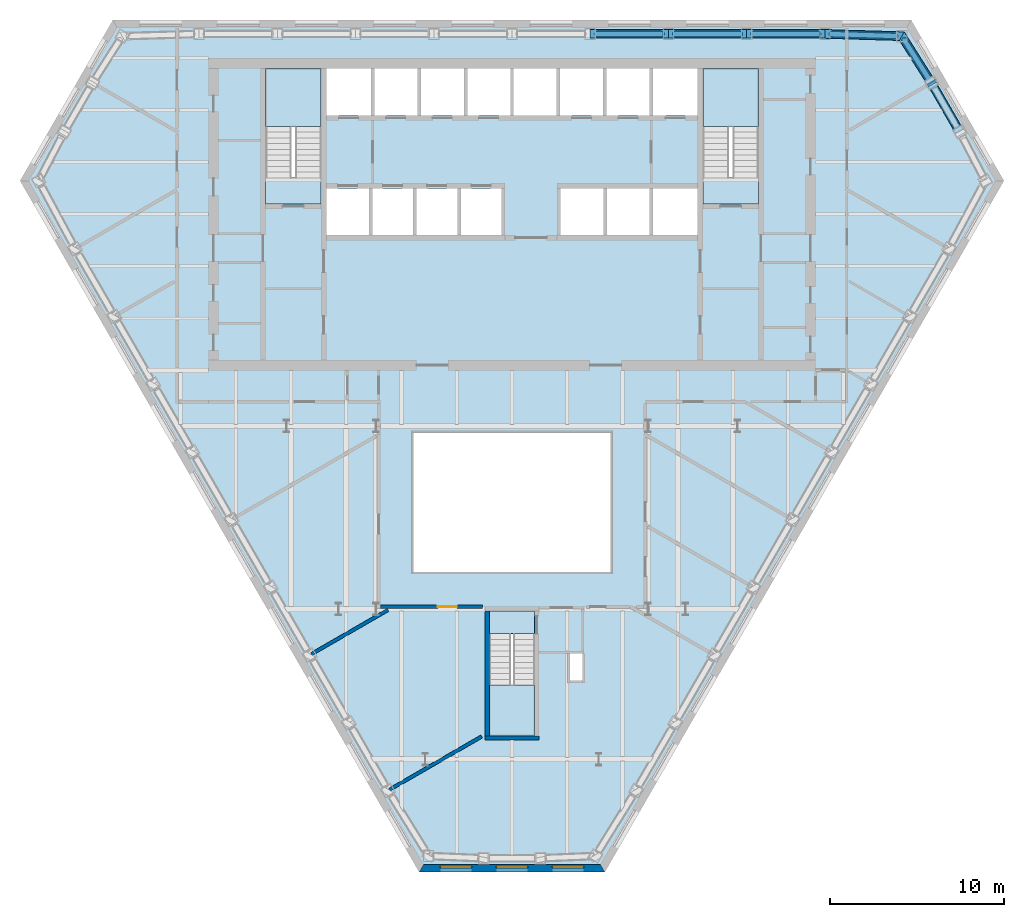
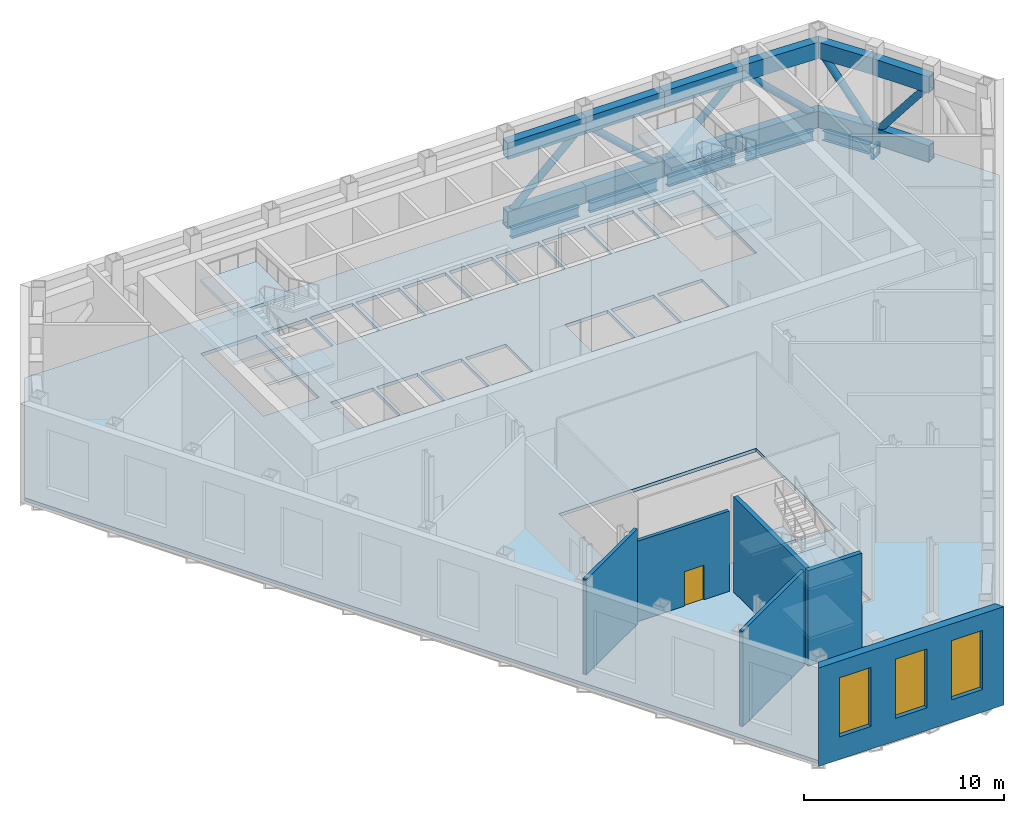
# One storey, part 6 of 14: 18 members, 10 slabs, 6 beams, 6 walls, 3 shading devices, 1 door, 4 openings, 3 elements without a shape of their own.
"""IFC4 building model written with IfcOpenShell, lengths in metres."""

from ifc_helpers import new_model, si_unit, direction, frame, frame_2d, origin, origin_2d, place, context, subcontext, project, spatial, polyline, rectangle, hollow_rectangle, hollow_circle, i_section, outline, extrude, clip, halfspace, material, layer, layer_set, material_profile, profile_set, type_object, element, fill, aggregate, save


model = new_model("IFC4")

# Units and contexts
model_context = context("Model", 3, precision=1e-05, world=origin(), true_north=direction((0.0, 1.0)))
body_context = subcontext(model_context, "Body", "Model", "MODEL_VIEW")
ifc_project = project(units=[si_unit("LENGTHUNIT", "METRE"), si_unit("AREAUNIT", "SQUARE_METRE"), si_unit("VOLUMEUNIT", "CUBIC_METRE"), si_unit("PLANEANGLEUNIT", "RADIAN"), si_unit("MASSUNIT", "GRAM", prefix="KILO")], contexts=[model_context])

# Site, building, storey
site_placement = place(None, origin())
site = spatial("IfcSite", under=ifc_project, at=site_placement, CompositionType="ELEMENT")
building_placement = place(site_placement, origin())
building = spatial("IfcBuilding", under=site, at=building_placement, Name="Njiva Tower", CompositionType="ELEMENT")
storey_placement = place(building_placement, frame((0.0, 0.0, 78.3)))
storey = spatial("IfcBuildingStorey", under=building, at=storey_placement, Name="L16", CompositionType="ELEMENT", Elevation=78.3)

# Beams
ifc_material_1 = material(Name="Steel S355 J2", Category="steel")
ifc_material_profile_1 = material_profile(ifc_material_1, hollow_rectangle(XDim=0.7, YDim=0.7, WallThickness=0.08, at=origin_2d()), Name="BOX 700x700x80")
ifc_profile_set_1 = profile_set([ifc_material_profile_1], Name="Steel S355 J2")
beam_type_1 = type_object("IfcBeamType", Name="B19 Column jog beam BOX 700x700x80", PredefinedType="BEAM", material=ifc_profile_set_1)
beam_1_placement = place(storey_placement, frame((24.227, 16.474, -0.55), z_axis=(-0.49972245349, 0.866185586049, 0.0), x_axis=(-0.866185586049, -0.49972245349, 0.0)))
element("IfcBeam", 1, at=beam_1_placement, inside=storey, type_object=beam_type_1, Name="Column jog beam T1-B054", PredefinedType="BEAM", context=body_context, shape_type="SweptSolid", body=[
    extrude(hollow_rectangle(XDim=0.7, YDim=0.7, WallThickness=0.08, at=origin_2d()), origin(), (0.0, 0.0, 1.0), 0.1801),
])
ifc_material_profile_2 = material_profile(ifc_material_1, i_section(OverallWidth=0.3, OverallDepth=0.6, WebThickness=0.0155, FlangeThickness=0.03, at=origin_2d()), Name="HEB 600")
ifc_profile_set_2 = profile_set([ifc_material_profile_2], Name="Steel S355 J2")
beam_type_2 = type_object("IfcBeamType", Name="B3 Short-span spandrel beam HEB 600", PredefinedType="SPANDREL", material=ifc_profile_set_2)
beam_2_placement = place(storey_placement, frame((22.157, 19.276, -0.5), z_axis=(-0.999547870884, 0.030067487615, 0.0), x_axis=(-0.030067487615, -0.999547870884, 0.0)))
element("IfcBeam", 2, at=beam_2_placement, inside=storey, type_object=beam_type_2, Name="Short-span spandrel beam T1-B124", PredefinedType="SPANDREL", context=body_context, shape_type="SweptSolid", body=[
    extrude(i_section(OverallWidth=0.3, OverallDepth=0.6, WebThickness=0.0155, FlangeThickness=0.03, at=origin_2d()), origin(), (0.0, 0.0, 1.0), 3.8247),
])
beam_3_placement = place(storey_placement, frame((17.73, 19.4, -0.5), z_axis=(-1.0, 0.0, 0.0), x_axis=(0.0, -1.0, 0.0)))
element("IfcBeam", 3, at=beam_3_placement, inside=storey, type_object=beam_type_2, Name="Short-span spandrel beam T1-B121", PredefinedType="SPANDREL", context=body_context, shape_type="SweptSolid", body=[
    extrude(i_section(OverallWidth=0.3, OverallDepth=0.6, WebThickness=0.0155, FlangeThickness=0.03, at=origin_2d()), origin(), (0.0, 0.0, 1.0), 3.907),
])
beam_4_placement = place(storey_placement, frame((13.223, 19.4, -0.5), z_axis=(-1.0, 0.0, 0.0), x_axis=(0.0, -1.0, 0.0)))
element("IfcBeam", 4, at=beam_4_placement, inside=storey, type_object=beam_type_2, Name="Short-span spandrel beam T1-B118", PredefinedType="SPANDREL", context=body_context, shape_type="SweptSolid", body=[
    extrude(i_section(OverallWidth=0.3, OverallDepth=0.6, WebThickness=0.0155, FlangeThickness=0.03, at=origin_2d()), origin(), (0.0, 0.0, 1.0), 3.908),
])
beam_5_placement = place(storey_placement, frame((8.715, 19.4, -0.5), z_axis=(-1.0, 0.0, 0.0), x_axis=(0.0, -1.0, 0.0)))
element("IfcBeam", 5, at=beam_5_placement, inside=storey, type_object=beam_type_2, Name="Short-span spandrel beam T1-B115", PredefinedType="SPANDREL", context=body_context, shape_type="SweptSolid", body=[
    extrude(i_section(OverallWidth=0.3, OverallDepth=0.6, WebThickness=0.0155, FlangeThickness=0.03, at=origin_2d()), origin(), (0.0, 0.0, 1.0), 3.907),
])
beam_6_placement = place(storey_placement, frame((24.036, 16.786, -0.5), z_axis=(-0.535797902247, 0.844346260694, 0.0), x_axis=(-0.844346260694, -0.535797902247, 0.0)))
element("IfcBeam", 6, at=beam_6_placement, inside=storey, type_object=beam_type_2, Name="Short-span spandrel beam T1-B127", PredefinedType="SPANDREL", context=body_context, shape_type="Clipping", body=[
    clip(extrude(i_section(OverallWidth=0.3, OverallDepth=0.6, WebThickness=0.0155, FlangeThickness=0.03, at=origin_2d()), origin(), (0.0, 0.0, 1.0), 2.6981), halfspace(frame((-0.0264, 0.0, 2.5663), z_axis=(-0.535797902247, 0.0, 0.844346260694), x_axis=(0.0, 1.0, 0.0)), False)),
])

# Members
ifc_material_profile_3 = material_profile(ifc_material_1, hollow_rectangle(XDim=0.5, YDim=1.0, WallThickness=0.06, at=origin_2d()), Name="BOX 1000x500x60")
ifc_profile_set_3 = profile_set([ifc_material_profile_3], Name="Steel S355 J2")
member_type_1 = type_object("IfcMemberType", Name="TC1 Transfer and belt truss chord BOX 1000x500x60", PredefinedType="CHORD", material=ifc_profile_set_3)
member_1_placement = place(storey_placement, frame((22.6239, 19.2621, 0.5), z_axis=(-0.999549830104, 0.03000228558, 0.0), x_axis=(-0.03000228558, -0.999549830104, 0.0)))
element("IfcMember", 7, at=member_1_placement, inside=storey, type_object=member_type_1, Name="Transfer and belt truss chord T1-TR001", PredefinedType="CHORD", context=body_context, shape_type="Clipping", body=[
    clip(clip(extrude(hollow_rectangle(XDim=0.5, YDim=1.0, WallThickness=0.06, at=origin_2d()), origin(), (0.0, 0.0, 1.0), 4.63), halfspace(frame((0.0, -78.8, 0.163), z_axis=(0.468606698505, 0.0, -0.88340690631), x_axis=(0.0, -1.0, 0.0)), False)), halfspace(frame((0.0, -78.8, 4.596), z_axis=(0.015005700272, 0.0, 0.999887408141), x_axis=(0.0, 1.0, 0.0)), False)),
])
member_2_placement = place(storey_placement, frame((22.6239, 19.2621, 4.7), z_axis=(-0.999549830104, 0.03000228558, 0.0), x_axis=(-0.03000228558, -0.999549830104, 0.0)))
element("IfcMember", 8, at=member_2_placement, inside=storey, type_object=member_type_1, Name="Transfer and belt truss chord T1-TR002", PredefinedType="CHORD", context=body_context, shape_type="Clipping", body=[
    clip(clip(extrude(hollow_rectangle(XDim=0.5, YDim=1.0, WallThickness=0.06, at=origin_2d()), origin(), (0.0, 0.0, 1.0), 4.63), halfspace(frame((0.0, -83.0, 0.163), z_axis=(0.468606698505, 0.0, -0.88340690631), x_axis=(0.0, -1.0, 0.0)), False)), halfspace(frame((0.0, -83.0, 4.596), z_axis=(0.015005700272, 0.0, 0.999887408141), x_axis=(0.0, 1.0, 0.0)), False)),
])
member_3_placement = place(storey_placement, frame((18.064, 19.4, 0.5), z_axis=(-1.0, 0.0, 0.0), x_axis=(0.0, -1.0, 0.0)))
element("IfcMember", 9, at=member_3_placement, inside=storey, type_object=member_type_1, Name="Transfer and belt truss chord T1-TR004", PredefinedType="CHORD", context=body_context, shape_type="Clipping", body=[
    clip(extrude(hollow_rectangle(XDim=0.5, YDim=1.0, WallThickness=0.06, at=origin_2d()), origin(), (0.0, 0.0, 1.0), 4.541), halfspace(frame((0.0, -78.8, 0.034), z_axis=(0.014999962409, 0.0, -0.999887494235), x_axis=(0.0, -1.0, 0.0)), False)),
])
member_4_placement = place(storey_placement, frame((18.064, 19.4, 4.7), z_axis=(-1.0, 0.0, 0.0), x_axis=(0.0, -1.0, 0.0)))
element("IfcMember", 10, at=member_4_placement, inside=storey, type_object=member_type_1, Name="Transfer and belt truss chord T1-TR005", PredefinedType="CHORD", context=body_context, shape_type="Clipping", body=[
    clip(extrude(hollow_rectangle(XDim=0.5, YDim=1.0, WallThickness=0.06, at=origin_2d()), origin(), (0.0, 0.0, 1.0), 4.541), halfspace(frame((0.0, -83.0, 0.034), z_axis=(0.014999962409, 0.0, -0.999887494235), x_axis=(0.0, -1.0, 0.0)), False)),
])
for number, where, z_axis, x_axis, name in (
    (11, (13.523, 19.4, 0.5), (-1.0, 0.0, 0.0), (0.0, -1.0, 0.0), "Transfer and belt truss chord T1-TR007"),
    (12, (13.523, 19.4, 4.7), (-1.0, 0.0, 0.0), (0.0, -1.0, 0.0), "Transfer and belt truss chord T1-TR008"),
):
    element("IfcMember", number, at=place(storey_placement, frame(where, z_axis=z_axis, x_axis=x_axis)), inside=storey, type_object=member_type_1, Name=name, PredefinedType="CHORD", context=body_context, shape_type="SweptSolid", body=[
        extrude(hollow_rectangle(XDim=0.5, YDim=1.0, WallThickness=0.06, at=origin_2d()), origin(), (0.0, 0.0, 1.0), 4.508),
    ])
for number, where, z_axis, x_axis, name in (
    (13, (9.015, 19.4, 0.5), (-1.0, 0.0, 0.0), (0.0, -1.0, 0.0), "Transfer and belt truss chord T1-TR010"),
    (14, (9.015, 19.4, 4.7), (-1.0, 0.0, 0.0), (0.0, -1.0, 0.0), "Transfer and belt truss chord T1-TR011"),
):
    element("IfcMember", number, at=place(storey_placement, frame(where, z_axis=z_axis, x_axis=x_axis)), inside=storey, type_object=member_type_1, Name=name, PredefinedType="CHORD", context=body_context, shape_type="SweptSolid", body=[
        extrude(hollow_rectangle(XDim=0.5, YDim=1.0, WallThickness=0.06, at=origin_2d()), origin(), (0.0, 0.0, 1.0), 4.507),
    ])
member_5_placement = place(storey_placement, frame((25.8145, 13.7257, 0.5), z_axis=(-0.500165123728, 0.865930048564, 0.0), x_axis=(-0.865930048564, -0.500165123728, 0.0)))
element("IfcMember", 15, at=member_5_placement, inside=storey, type_object=member_type_1, Name="Transfer and belt truss chord T1-TR112", PredefinedType="CHORD", context=body_context, shape_type="Clipping", body=[
    clip(clip(extrude(hollow_rectangle(XDim=0.5, YDim=1.0, WallThickness=0.06, at=origin_2d()), origin(), (0.0, 0.0, 1.0), 3.3289), halfspace(frame((0.0, -78.8, 0.035), z_axis=(0.020940769856, 0.0, -0.999780718037), x_axis=(0.0, -1.0, 0.0)), False)), halfspace(frame((0.0, -78.8, 3.2939), z_axis=(0.020778829052, 0.0, 0.999784096825), x_axis=(0.0, 1.0, 0.0)), False)),
])
member_6_placement = place(storey_placement, frame((25.8145, 13.7257, 4.7), z_axis=(-0.500165123728, 0.865930048564, 0.0), x_axis=(-0.865930048564, -0.500165123728, 0.0)))
element("IfcMember", 16, at=member_6_placement, inside=storey, type_object=member_type_1, Name="Transfer and belt truss chord T1-TR113", PredefinedType="CHORD", context=body_context, shape_type="Clipping", body=[
    clip(clip(extrude(hollow_rectangle(XDim=0.5, YDim=1.0, WallThickness=0.06, at=origin_2d()), origin(), (0.0, 0.0, 1.0), 3.3289), halfspace(frame((0.0, -83.0, 0.035), z_axis=(0.020940769856, 0.0, -0.999780718037), x_axis=(0.0, -1.0, 0.0)), False)), halfspace(frame((0.0, -83.0, 3.2939), z_axis=(0.020778829052, 0.0, 0.999784096825), x_axis=(0.0, 1.0, 0.0)), False)),
])
member_7_placement = place(storey_placement, frame((24.1858, 16.5484, 0.5), z_axis=(-0.535716809488, 0.844397714369, 0.0), x_axis=(-0.844397714369, -0.535716809488, 0.0)))
element("IfcMember", 17, at=member_7_placement, inside=storey, type_object=member_type_1, Name="Transfer and belt truss chord T1-TR115", PredefinedType="CHORD", context=body_context, shape_type="Clipping", body=[
    clip(clip(extrude(hollow_rectangle(XDim=0.5, YDim=1.0, WallThickness=0.06, at=origin_2d()), origin(), (0.0, 0.0, 1.0), 3.3825), halfspace(frame((0.0, -78.8, 0.035), z_axis=(0.020785143043, 0.0, -0.999783965579), x_axis=(0.0, -1.0, 0.0)), False)), halfspace(frame((0.0, -78.8, 3.2195), z_axis=(0.468613118526, 0.0, 0.883403500755), x_axis=(0.0, 1.0, 0.0)), False)),
])
member_8_placement = place(storey_placement, frame((24.1858, 16.5484, 4.7), z_axis=(-0.535716809488, 0.844397714369, 0.0), x_axis=(-0.844397714369, -0.535716809488, 0.0)))
element("IfcMember", 18, at=member_8_placement, inside=storey, type_object=member_type_1, Name="Transfer and belt truss chord T1-TR116", PredefinedType="CHORD", context=body_context, shape_type="Clipping", body=[
    clip(clip(extrude(hollow_rectangle(XDim=0.5, YDim=1.0, WallThickness=0.06, at=origin_2d()), origin(), (0.0, 0.0, 1.0), 3.3825), halfspace(frame((0.0, -83.0, 0.035), z_axis=(0.020785143043, 0.0, -0.999783965579), x_axis=(0.0, -1.0, 0.0)), False)), halfspace(frame((0.0, -83.0, 3.2195), z_axis=(0.468613118526, 0.0, 0.883403500755), x_axis=(0.0, 1.0, 0.0)), False)),
])
ifc_material_2 = material(Name="Steel S355 J2H", Category="steel")
ifc_material_profile_4 = material_profile(ifc_material_2, hollow_circle(Radius=0.2032, WallThickness=0.016, at=origin_2d()), Name="CHS 406.4x16")
ifc_profile_set_4 = profile_set([ifc_material_profile_4], Name="Steel S355 J2H")
member_type_2 = type_object("IfcMemberType", Name="TD1 Transfer and belt truss diagonal CHS 406.4x16", PredefinedType="BRACE", material=ifc_profile_set_4)
member_9_placement = place(storey_placement, frame((22.6395, 19.2616, 0.3308), z_axis=(-0.725599734047, 0.021779454892, 0.68777225976), x_axis=(-0.03000228558, -0.999549830104, 0.0)))
element("IfcMember", 19, at=member_9_placement, inside=storey, type_object=member_type_2, Name="Transfer and belt truss diagonal T1-TR003", PredefinedType="BRACE", context=body_context, shape_type="Clipping", body=[
    clip(clip(extrude(hollow_circle(Radius=0.2032, WallThickness=0.016, at=origin_2d()), origin(), (0.0, 0.0, 1.0), 6.5987), halfspace(frame((19.9322, -14.6878, 16.4611), z_axis=(0.0, -0.725926524315, -0.68777225976), x_axis=(0.0, -0.68777225976, 0.725926524315)), False)), halfspace(frame((19.9322, -12.3503, 18.6757), z_axis=(0.0, 0.725926524315, 0.68777225976), x_axis=(0.0, 0.68777225976, -0.725926524315)), False)),
])
member_10_placement = place(storey_placement, frame((18.2129, 19.4, 4.8704), z_axis=(-0.731584040019, 0.0, -0.681751268711), x_axis=(0.0, -1.0, 0.0)))
element("IfcMember", 20, at=member_10_placement, inside=storey, type_object=member_type_2, Name="Transfer and belt truss diagonal T1-TR006", PredefinedType="BRACE", context=body_context, shape_type="Clipping", body=[
    clip(clip(extrude(hollow_circle(Radius=0.2032, WallThickness=0.016, at=origin_2d()), origin(), (0.0, 0.0, 1.0), 6.6606), halfspace(frame((19.4, 11.9335, 13.7745), z_axis=(0.0, 0.731584040019, -0.681751268711), x_axis=(0.0, -0.681751268711, -0.731584040019)), False)), halfspace(frame((19.4, 9.5778, 15.9698), z_axis=(0.0, -0.731584040019, 0.681751268711), x_axis=(0.0, 0.681751268711, 0.731584040019)), False)),
])
member_11_placement = place(storey_placement, frame((13.7059, 19.4, 0.3296), z_axis=(-0.731659471254, 0.0, 0.681670314833), x_axis=(0.0, -1.0, 0.0)))
element("IfcMember", 21, at=member_11_placement, inside=storey, type_object=member_type_2, Name="Transfer and belt truss diagonal T1-TR009", PredefinedType="BRACE", context=body_context, shape_type="Clipping", body=[
    clip(clip(extrude(hollow_circle(Radius=0.2032, WallThickness=0.016, at=origin_2d()), origin(), (0.0, 0.0, 1.0), 6.6613), halfspace(frame((19.4, -8.8597, 10.4782), z_axis=(0.0, -0.731659471254, -0.681670314833), x_axis=(0.0, -0.681670314833, 0.731659471254)), False)), halfspace(frame((19.4, -6.5038, 12.6732), z_axis=(0.0, 0.731659471254, 0.681670314833), x_axis=(0.0, 0.681670314833, -0.731659471254)), False)),
])
member_12_placement = place(storey_placement, frame((9.1979, 19.4, 4.8704), z_axis=(-0.731584040019, 0.0, -0.681751268711), x_axis=(0.0, -1.0, 0.0)))
element("IfcMember", 22, at=member_12_placement, inside=storey, type_object=member_type_2, Name="Transfer and belt truss diagonal T1-TR012", PredefinedType="BRACE", context=body_context, shape_type="Clipping", body=[
    clip(clip(extrude(hollow_circle(Radius=0.2032, WallThickness=0.016, at=origin_2d()), origin(), (0.0, 0.0, 1.0), 6.6606), halfspace(frame((19.4, 5.7875, 7.1793), z_axis=(0.0, 0.731584040019, -0.681751268711), x_axis=(0.0, -0.681751268711, -0.731584040019)), False)), halfspace(frame((19.4, 3.4318, 9.3745), z_axis=(0.0, -0.731584040019, 0.681751268711), x_axis=(0.0, 0.681751268711, 0.731584040019)), False)),
])
member_13_placement = place(storey_placement, frame((25.855, 13.6557, 4.8493), z_axis=(-0.306617570589, 0.530843425891, -0.79005754385), x_axis=(-0.865930048564, -0.500165123728, 0.0)))
element("IfcMember", 23, at=member_13_placement, inside=storey, type_object=member_type_2, Name="Transfer and belt truss diagonal T1-TR114", PredefinedType="BRACE", context=body_context, shape_type="Clipping", body=[
    clip(clip(extrude(hollow_circle(Radius=0.2032, WallThickness=0.016, at=origin_2d()), origin(), (0.0, 0.0, 1.0), 5.6941), halfspace(frame((29.2187, 0.4826, 1.1837), z_axis=(0.0, 0.613032688693, -0.79005754385), x_axis=(0.0, -0.79005754385, -0.613032688693)), False)), halfspace(frame((29.2187, -1.4914, 3.7276), z_axis=(0.0, -0.613032688693, 0.79005754385), x_axis=(0.0, 0.79005754385, 0.613032688693)), False)),
])
member_14_placement = place(storey_placement, frame((24.2269, 16.4836, 0.3526), z_axis=(-0.323671054278, 0.510170846983, 0.796845502912), x_axis=(-0.844397714369, -0.535716809488, 0.0)))
element("IfcMember", 24, at=member_14_placement, inside=storey, type_object=member_type_2, Name="Transfer and belt truss diagonal T1-TR117", PredefinedType="BRACE", context=body_context, shape_type="Clipping", body=[
    clip(clip(extrude(hollow_circle(Radius=0.2032, WallThickness=0.016, at=origin_2d()), origin(), (0.0, 0.0, 1.0), 5.6408), halfspace(frame((29.2877, 1.1341, -0.06), z_axis=(0.0, -0.604183121652, -0.796845502912), x_axis=(0.0, -0.796845502912, 0.604183121652)), False)), halfspace(frame((29.2877, 3.0796, 2.5058), z_axis=(0.0, 0.604183121652, 0.796845502912), x_axis=(0.0, 0.796845502912, -0.604183121652)), False)),
])

# Stair, slabs
ifc_material_3 = material(Name="Concrete C40/50", Category="concrete")
stair_type_1 = type_object("IfcStairType", Name="ST4 Exit stair 1500", PredefinedType="HALF_TURN_STAIR", material=ifc_material_3)
stair_1_placement = place(storey_placement, origin())
stair_1 = element("IfcStair", 25, at=stair_1_placement, inside=storey, type_object=stair_type_1, Name="Stair A", PredefinedType="DOUBLE_RETURN_STAIR")
ifc_layer_1 = layer(ifc_material_3, 0.2)
ifc_layer_set_1 = layer_set([ifc_layer_1], Name="Concrete C40/50")
slab_type_1 = type_object("IfcSlabType", Name="FL9 Stair landing 200", PredefinedType="LANDING", material=ifc_layer_set_1)
slab_1_placement = place(storey_placement, frame((0.0, 0.0, 1.3)))
slab_1 = element("IfcSlab", 26, at=slab_1_placement, type_object=slab_type_1, Name="ST-A landing 1", PredefinedType="LANDING", context=body_context, shape_type="SweptSolid", body=[
    extrude(outline(polyline([(-14.206, 14.07), (-10.994, 14.07), (-10.994, 17.4), (-14.206, 17.4), (-14.206, 14.07)])), origin(), (0.0, 0.0, 1.0), 0.2),
])
slab_2_placement = place(storey_placement, frame((0.0, 0.0, 2.8)))
slab_2 = element("IfcSlab", 27, at=slab_2_placement, type_object=slab_type_1, Name="ST-A landing 2", PredefinedType="LANDING", context=body_context, shape_type="SweptSolid", body=[
    extrude(outline(polyline([(-14.206, 9.6), (-10.994, 9.6), (-10.994, 11.1), (-14.206, 11.1), (-14.206, 9.6)])), origin(), (0.0, 0.0, 1.0), 0.2),
])
slab_3_placement = place(storey_placement, frame((0.0, 0.0, 4.3)))
slab_3 = element("IfcSlab", 28, at=slab_3_placement, type_object=slab_type_1, Name="ST-A landing 3", PredefinedType="LANDING", context=body_context, shape_type="SweptSolid", body=[
    extrude(outline(polyline([(-14.206, 14.07), (-10.994, 14.07), (-10.994, 17.4), (-14.206, 17.4), (-14.206, 14.07)])), origin(), (0.0, 0.0, 1.0), 0.2),
])
aggregate(stair_1, [slab_1, slab_2, slab_3])

stair_2_placement = place(storey_placement, origin())
stair_2 = element("IfcStair", 29, at=stair_2_placement, inside=storey, type_object=stair_type_1, Name="Stair B", PredefinedType="DOUBLE_RETURN_STAIR")
slab_4_placement = place(storey_placement, frame((0.0, 0.0, 1.3)))
slab_4 = element("IfcSlab", 30, at=slab_4_placement, type_object=slab_type_1, Name="ST-B landing 1", PredefinedType="LANDING", context=body_context, shape_type="SweptSolid", body=[
    extrude(outline(polyline([(10.994, 14.07), (14.206, 14.07), (14.206, 17.4), (10.994, 17.4), (10.994, 14.07)])), origin(), (0.0, 0.0, 1.0), 0.2),
])
slab_5_placement = place(storey_placement, frame((0.0, 0.0, 2.8)))
slab_5 = element("IfcSlab", 31, at=slab_5_placement, type_object=slab_type_1, Name="ST-B landing 2", PredefinedType="LANDING", context=body_context, shape_type="SweptSolid", body=[
    extrude(outline(polyline([(10.994, 9.6), (14.206, 9.6), (14.206, 11.1), (10.994, 11.1), (10.994, 9.6)])), origin(), (0.0, 0.0, 1.0), 0.2),
])
slab_6_placement = place(storey_placement, frame((0.0, 0.0, 4.3)))
slab_6 = element("IfcSlab", 32, at=slab_6_placement, type_object=slab_type_1, Name="ST-B landing 3", PredefinedType="LANDING", context=body_context, shape_type="SweptSolid", body=[
    extrude(outline(polyline([(10.994, 14.07), (14.206, 14.07), (14.206, 17.4), (10.994, 17.4), (10.994, 14.07)])), origin(), (0.0, 0.0, 1.0), 0.2),
])
aggregate(stair_2, [slab_4, slab_5, slab_6])

stair_type_2 = type_object("IfcStairType", Name="ST1 Exit stair 1250", PredefinedType="HALF_TURN_STAIR", material=ifc_material_3)
stair_3_placement = place(storey_placement, origin())
stair_3 = element("IfcStair", 33, at=stair_3_placement, inside=storey, type_object=stair_type_2, Name="Stair C", PredefinedType="DOUBLE_RETURN_STAIR")
slab_7_placement = place(storey_placement, frame((0.0, 0.0, 1.3)))
slab_7 = element("IfcSlab", 34, at=slab_7_placement, type_object=slab_type_1, Name="ST-C landing 1", PredefinedType="LANDING", context=body_context, shape_type="SweptSolid", body=[
    extrude(outline(polyline([(-1.306, -21.05), (1.306, -21.05), (1.306, -18.13), (-1.306, -18.13), (-1.306, -21.05)])), origin(), (0.0, 0.0, 1.0), 0.2),
])
slab_8_placement = place(storey_placement, frame((0.0, 0.0, 2.8)))
slab_8 = element("IfcSlab", 35, at=slab_8_placement, type_object=slab_type_1, Name="ST-C landing 2", PredefinedType="LANDING", context=body_context, shape_type="SweptSolid", body=[
    extrude(outline(polyline([(-1.306, -15.16), (1.306, -15.16), (1.306, -13.85), (-1.306, -13.85), (-1.306, -15.16)])), origin(), (0.0, 0.0, 1.0), 0.2),
])
slab_9_placement = place(storey_placement, frame((0.0, 0.0, 4.3)))
slab_9 = element("IfcSlab", 36, at=slab_9_placement, type_object=slab_type_1, Name="ST-C landing 3", PredefinedType="LANDING", context=body_context, shape_type="SweptSolid", body=[
    extrude(outline(polyline([(-1.306, -21.05), (1.306, -21.05), (1.306, -18.13), (-1.306, -18.13), (-1.306, -21.05)])), origin(), (0.0, 0.0, 1.0), 0.2),
])
aggregate(stair_3, [slab_7, slab_8, slab_9])

# Slab
ifc_material_4 = material(Name="Concrete C30/37", Category="concrete")
ifc_layer_2 = layer(ifc_material_4, 0.2)
ifc_layer_set_2 = layer_set([ifc_layer_2], Name="Concrete C30/37")
slab_type_2 = type_object("IfcSlabType", Name="SL16 Composite floor slab 200", PredefinedType="FLOOR", material=ifc_layer_set_2)
slab_10_placement = place(storey_placement, frame((0.0, 0.0, -0.2)))
element("IfcSlab", 37, at=slab_10_placement, inside=storey, type_object=slab_type_2, Name="Floor slab L16", PredefinedType="FLOOR", context=body_context, shape_type="SweptSolid", body=[
    extrude(outline(polyline([(28.0902, 10.9335), (5.2201, -28.6786), (-5.2201, -28.6786), (-28.0902, 10.9335), (-22.8701, 19.975), (22.8701, 19.975), (28.0902, 10.9335)]), holes=[polyline([(10.994, 11.13), (14.206, 11.13), (14.206, 17.4), (10.994, 17.4), (10.994, 11.13)]), polyline([(8.125, 17.4), (8.125, 14.7), (10.7, 14.7), (10.7, 17.4), (8.125, 17.4)]), polyline([(8.1333, 10.5), (8.1333, 7.8), (10.7, 7.8), (10.7, 10.5), (8.1333, 10.5)]), polyline([(5.4667, 10.5), (5.4667, 7.8), (7.9333, 7.8), (7.9333, 10.5), (5.4667, 10.5)]), polyline([(5.45, 17.4), (5.45, 14.7), (7.925, 14.7), (7.925, 17.4), (5.45, 17.4)]), polyline([(5.68, -11.6), (5.68, -3.6), (-5.68, -3.6), (-5.68, -11.6), (5.68, -11.6)]), polyline([(2.8, 7.8), (5.2667, 7.8), (5.2667, 10.5), (2.8, 10.5), (2.8, 7.8)]), polyline([(2.775, 14.7), (5.25, 14.7), (5.25, 17.4), (2.775, 17.4), (2.775, 14.7)]), polyline([(3.35, -17.85), (4.05, -17.85), (4.05, -16.3), (3.35, -16.3), (3.35, -17.85)]), polyline([(0.1, 14.7), (2.575, 14.7), (2.575, 17.4), (0.1, 17.4), (0.1, 14.7)]), polyline([(-1.306, -21.05), (1.306, -21.05), (1.306, -15.19), (-1.306, -15.19), (-1.306, -21.05)]), polyline([(-2.575, 17.4), (-2.575, 14.7), (-0.1, 14.7), (-0.1, 17.4), (-2.575, 17.4)]), polyline([(-2.95, 10.5), (-2.95, 7.8), (-0.6, 7.8), (-0.6, 10.5), (-2.95, 10.5)]), polyline([(-5.25, 17.4), (-5.25, 14.7), (-2.775, 14.7), (-2.775, 17.4), (-5.25, 17.4)]), polyline([(-5.5, 10.5), (-5.5, 7.8), (-3.15, 7.8), (-3.15, 10.5), (-5.5, 10.5)]), polyline([(-7.925, 14.7), (-5.45, 14.7), (-5.45, 17.4), (-7.925, 17.4), (-7.925, 14.7)]), polyline([(-8.05, 7.8), (-5.7, 7.8), (-5.7, 10.5), (-8.05, 10.5), (-8.05, 7.8)]), polyline([(-10.7, 14.7), (-8.125, 14.7), (-8.125, 17.4), (-10.7, 17.4), (-10.7, 14.7)]), polyline([(-10.7, 7.8), (-8.25, 7.8), (-8.25, 10.5), (-10.7, 10.5), (-10.7, 7.8)]), polyline([(-14.206, 11.13), (-10.994, 11.13), (-10.994, 17.4), (-14.206, 17.4), (-14.206, 11.13)])]), origin(), (0.0, 0.0, 1.0), 0.2),
])

# Wall
ifc_material_5 = material(Name="Blockwork", Category="masonry")
ifc_layer_3 = layer(ifc_material_5, 0.2)
ifc_layer_set_3 = layer_set([ifc_layer_3], Name="Blockwork")
wall_type_1 = type_object("IfcWallType", Name="WT22 Plant room wall 200", PredefinedType="PARTITIONING", material=ifc_layer_set_3)
wall_1_placement = place(storey_placement, frame((-11.564, -16.341, 0.0), z_axis=(0.0, 0.0, 1.0), x_axis=(0.86623769072, 0.499632127845, 0.0)))
element("IfcWall", 38, at=wall_1_placement, inside=storey, type_object=wall_type_1, Name="Partition T1-P010", PredefinedType="PARTITIONING", context=body_context, shape_type="SweptSolid", body=[
    extrude(rectangle(XDim=5.1118, YDim=0.2, at=frame_2d((2.5559, 0.0))), origin(), (0.0, 0.0, 1.0), 5.8),
])

# Wall, opening, door
wall_2_placement = place(storey_placement, frame((-7.58, -13.6, 0.0), z_axis=(0.0, 0.0, 1.0), x_axis=(1.0, 0.0, 0.0)))
wall_2 = element("IfcWall", 39, at=wall_2_placement, inside=storey, type_object=wall_type_1, Name="Partition T1-P016", PredefinedType="PARTITIONING", context=body_context, shape_type="SweptSolid", body=[
    extrude(rectangle(XDim=5.88, YDim=0.2, at=frame_2d((2.94, 0.0))), origin(), (0.0, 0.0, 1.0), 4.89),
])
opening_1_placement = place(wall_2_placement, frame((3.309, 0.0, 0.0)))
opening_1 = element("IfcOpeningElement", 40, at=opening_1_placement, cuts=wall_2, Name="Opening T1-D008", PredefinedType="OPENING", context=body_context, shape_type="SweptSolid", body=[
    extrude(rectangle(XDim=1.1, YDim=2.1, at=frame_2d((0.55, 1.05))), frame((0.0, 0.11, 0.0), z_axis=(0.0, -1.0, 0.0), x_axis=(1.0, 0.0, 0.0)), (0.0, 0.0, 1.0), 0.22),
])
ifc_material_6 = material(Name="Steel door set", Category="steel")
door_type = type_object("IfcDoorType", Name="D34 Plant door 1100x2100", OperationType="SINGLE_SWING_LEFT", PredefinedType="DOOR", material=ifc_material_6)
door_placement = place(opening_1_placement, origin())
door = element("IfcDoor", 41, at=door_placement, inside=storey, type_object=door_type, Name="Door T1-D008", OperationType="SINGLE_SWING_RIGHT", OverallHeight=2.1, OverallWidth=1.1, PredefinedType="DOOR", context=body_context, shape_type="SweptSolid", body=[
    extrude(rectangle(XDim=1.1, YDim=2.1, at=frame_2d((0.55, 1.05))), frame((0.0, 0.025, 0.0), z_axis=(0.0, -1.0, 0.0), x_axis=(1.0, 0.0, 0.0)), (0.0, 0.0, 1.0), 0.05),
])
fill(opening_1, door)

# Walls
wall_3_placement = place(storey_placement, frame((-7.056, -24.149, 0.0), z_axis=(0.0, 0.0, 1.0), x_axis=(0.866125793385, 0.499826079786, 0.0)))
element("IfcWall", 42, at=wall_3_placement, inside=storey, type_object=wall_type_1, Name="Partition T1-P017", PredefinedType="PARTITIONING", context=body_context, shape_type="SweptSolid", body=[
    extrude(rectangle(XDim=6.1261, YDim=0.2, at=frame_2d((3.063, 0.0))), origin(), (0.0, 0.0, 1.0), 5.8),
])
ifc_layer_4 = layer(ifc_material_3, 0.25)
ifc_layer_set_4 = layer_set([ifc_layer_4], Name="Concrete C40/50")
wall_type_2 = type_object("IfcWallType", Name="WT9 Stair enclosure wall 250", PredefinedType="SHEAR", material=ifc_layer_set_4)
wall_4_placement = place(storey_placement, frame((-1.425, -21.05, 0.0), z_axis=(0.0, 0.0, 1.0), x_axis=(0.0, 1.0, 0.0)))
element("IfcWall", 43, at=wall_4_placement, inside=storey, type_object=wall_type_2, Name="Stair C wall west", PredefinedType="SHEAR", context=body_context, shape_type="SweptSolid", body=[
    extrude(rectangle(XDim=7.2, YDim=0.25, at=frame_2d((3.6, 0.0))), origin(), (0.0, 0.0, 1.0), 5.8),
])
wall_5_placement = place(storey_placement, frame((-1.55, -21.175, 0.0), z_axis=(0.0, 0.0, 1.0), x_axis=(1.0, 0.0, 0.0)))
element("IfcWall", 44, at=wall_5_placement, inside=storey, type_object=wall_type_2, Name="Stair C wall south", PredefinedType="SHEAR", context=body_context, shape_type="SweptSolid", body=[
    extrude(rectangle(XDim=3.1, YDim=0.25, at=frame_2d((1.55, 0.0))), origin(), (0.0, 0.0, 1.0), 5.8),
])

# Wall, openings, shading devices
ifc_material_7 = material(Name="Brick masonry, buff", Category="masonry")
ifc_layer_5 = layer(ifc_material_7, 0.45)
ifc_layer_set_5 = layer_set([ifc_layer_5], Name="Brick masonry, buff")
wall_type_3 = type_object("IfcWallType", Name="WT94 Brick pier and spandrel wall 450, buff", PredefinedType="SOLIDWALL", material=ifc_layer_set_5)
wall_6_placement = place(storey_placement, frame((-5.2201, -28.6786, -0.18), z_axis=(0.0, 0.0, 1.0), x_axis=(1.0, 0.0, 0.0)))
wall_6 = element("IfcWall", 45, at=wall_6_placement, inside=storey, type_object=wall_type_3, Name="Facade wall S", PredefinedType="SOLIDWALL", context=body_context, shape_type="SweptSolid", body=[
    extrude(outline(polyline([(-0.1299, -0.225), (10.5701, -0.225), (10.3103, 0.225), (0.1299, 0.225), (-0.1299, -0.225)])), origin(), (0.0, 0.0, 1.0), 6.0),
])
opening_2_placement = place(wall_6_placement, frame((1.0997, 0.0, 1.38)))
opening_2 = element("IfcOpeningElement", 46, at=opening_2_placement, cuts=wall_6, Name="Opening T1-LV24", PredefinedType="OPENING", context=body_context, shape_type="SweptSolid", body=[
    extrude(rectangle(XDim=1.8, YDim=3.6, at=frame_2d((0.9, 1.8))), frame((0.0, 0.235, 0.0), z_axis=(0.0, -1.0, 0.0), x_axis=(1.0, 0.0, 0.0)), (0.0, 0.0, 1.0), 0.47),
])
opening_3_placement = place(wall_6_placement, frame((4.3201, 0.0, 1.38)))
opening_3 = element("IfcOpeningElement", 47, at=opening_3_placement, cuts=wall_6, Name="Opening T1-LV25", PredefinedType="OPENING", context=body_context, shape_type="SweptSolid", body=[
    extrude(rectangle(XDim=1.8, YDim=3.6, at=frame_2d((0.9, 1.8))), frame((0.0, 0.235, 0.0), z_axis=(0.0, -1.0, 0.0), x_axis=(1.0, 0.0, 0.0)), (0.0, 0.0, 1.0), 0.47),
])
opening_4_placement = place(wall_6_placement, frame((7.5404, 0.0, 1.38)))
opening_4 = element("IfcOpeningElement", 48, at=opening_4_placement, cuts=wall_6, Name="Opening T1-LV26", PredefinedType="OPENING", context=body_context, shape_type="SweptSolid", body=[
    extrude(rectangle(XDim=1.8, YDim=3.6, at=frame_2d((0.9, 1.8))), frame((0.0, 0.235, 0.0), z_axis=(0.0, -1.0, 0.0), x_axis=(1.0, 0.0, 0.0)), (0.0, 0.0, 1.0), 0.47),
])
ifc_material_8 = material(Name="Aluminium louvre blades", Category="aluminium")
shading_device_type = type_object("IfcShadingDeviceType", Name="LV2 Plant louvre 1800x3600", PredefinedType="JALOUSIE", material=ifc_material_8)
shading_device_1_placement = place(opening_2_placement, origin())
shading_device_1 = element("IfcShadingDevice", 49, at=shading_device_1_placement, inside=storey, type_object=shading_device_type, Name="Plant louvre", PredefinedType="JALOUSIE", context=body_context, shape_type="SweptSolid", body=[
    extrude(rectangle(XDim=1.8, YDim=3.6, at=frame_2d((0.9, 1.8))), frame((0.0, 0.125, 0.0), z_axis=(0.0, -1.0, 0.0), x_axis=(1.0, 0.0, 0.0)), (0.0, 0.0, 1.0), 0.1),
])
fill(opening_2, shading_device_1)
shading_device_2_placement = place(opening_3_placement, origin())
shading_device_2 = element("IfcShadingDevice", 50, at=shading_device_2_placement, inside=storey, type_object=shading_device_type, Name="Plant louvre", PredefinedType="JALOUSIE", context=body_context, shape_type="SweptSolid", body=[
    extrude(rectangle(XDim=1.8, YDim=3.6, at=frame_2d((0.9, 1.8))), frame((0.0, 0.125, 0.0), z_axis=(0.0, -1.0, 0.0), x_axis=(1.0, 0.0, 0.0)), (0.0, 0.0, 1.0), 0.1),
])
fill(opening_3, shading_device_2)
shading_device_3_placement = place(opening_4_placement, origin())
shading_device_3 = element("IfcShadingDevice", 51, at=shading_device_3_placement, inside=storey, type_object=shading_device_type, Name="Plant louvre", PredefinedType="JALOUSIE", context=body_context, shape_type="SweptSolid", body=[
    extrude(rectangle(XDim=1.8, YDim=3.6, at=frame_2d((0.9, 1.8))), frame((0.0, 0.125, 0.0), z_axis=(0.0, -1.0, 0.0), x_axis=(1.0, 0.0, 0.0)), (0.0, 0.0, 1.0), 0.1),
])
fill(opening_4, shading_device_3)

save(model, "model.ifc")
